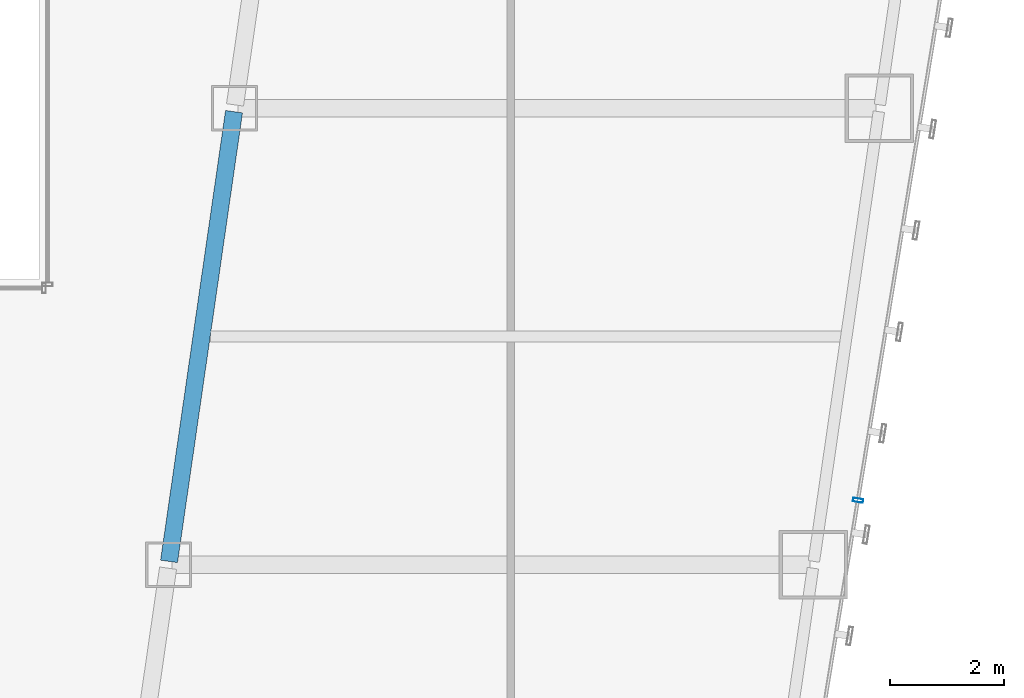
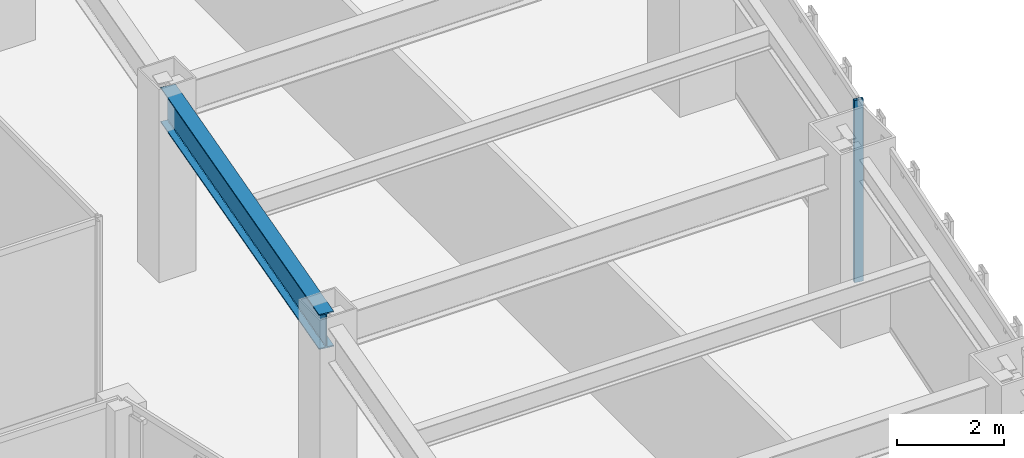
# One storey, part 17 of 47: 1 beam, 1 member, 1 element without a shape of its own.
"""IFC4 building model written with IfcOpenShell, lengths in metres."""

from ifc_helpers import new_model, si_unit, direction, frame, origin, origin_2d, place, context, subcontext, project, spatial, hollow_rectangle, i_section, extrude, material, material_profile, profile_set, type_object, element, aggregate, save


model = new_model("IFC4")

# Units and contexts
model_context = context("Model", 3, precision=1e-05, world=origin(), true_north=direction((0.0, 1.0)))
body_context = subcontext(model_context, "Body", "Model", "MODEL_VIEW")
ifc_project = project(units=[si_unit("LENGTHUNIT", "METRE"), si_unit("AREAUNIT", "SQUARE_METRE"), si_unit("VOLUMEUNIT", "CUBIC_METRE"), si_unit("PLANEANGLEUNIT", "RADIAN"), si_unit("MASSUNIT", "GRAM", prefix="KILO")], contexts=[model_context])

# Site, building, storey
site_placement = place(None, origin())
site = spatial("IfcSite", under=ifc_project, at=site_placement, CompositionType="ELEMENT")
building_placement = place(site_placement, origin())
building = spatial("IfcBuilding", under=site, at=building_placement, Name="Saevonmaru Cultural Tower", CompositionType="ELEMENT")
storey_placement = place(building_placement, frame((0.0, 0.0, 51.60009765625)))
storey = spatial("IfcBuildingStorey", under=building, at=storey_placement, Name="L10", CompositionType="ELEMENT", Elevation=51.60009765625)

# Beam
ifc_material_1 = material(Name="Steel SM420", Category="steel")
ifc_material_profile_1 = material_profile(ifc_material_1, i_section(OverallWidth=0.300048828125, OverallDepth=0.800048828125, WebThickness=0.013916015625, FlangeThickness=0.02587890625, FilletRadius=0.028076171875, at=origin_2d()), Name="H-800x300x14x26")
ifc_profile_set_1 = profile_set([ifc_material_profile_1], Name="Steel SM420")
beam_type = type_object("IfcBeamType", Name="BM-G-H800", PredefinedType="BEAM", material=ifc_profile_set_1)
beam_placement = place(storey_placement, frame((38.08056640625, 16.059326171875, 3.75), z_axis=(0.143022161059, 0.989719486241, 0.0), x_axis=(-0.989719486241, 0.143022161059, 0.0)))
element("IfcBeam", 1, at=beam_placement, inside=storey, type_object=beam_type, Name="L10 East Atrium Girder 3", PredefinedType="BEAM", context=body_context, shape_type="SweptSolid", body=[
    extrude(i_section(OverallWidth=0.300048828125, OverallDepth=0.800048828125, WebThickness=0.013916015625, FlangeThickness=0.02587890625, FilletRadius=0.028076171875, at=origin_2d()), origin(), (0.0, 0.0, 1.0), 7.963134765625),
])

# Curtain wall, member
ifc_material_2 = material(Name="Satin Bronze Anodised Aluminium", Category="aluminium")
curtain_wall_type = type_object("IfcCurtainWallType", Name="CW-TYP-A", PredefinedType="NOTDEFINED", material=ifc_material_2)
curtain_wall_placement = place(storey_placement, origin())
curtain_wall = element("IfcCurtainWall", 2, at=curtain_wall_placement, inside=storey, type_object=curtain_wall_type, Name="L10 Unitised Curtain Wall E8", PredefinedType="NOTDEFINED")
ifc_material_profile_2 = material_profile(ifc_material_2, hollow_rectangle(XDim=0.06494140625, YDim=0.179931640625, WallThickness=0.00390625, at=origin_2d()), Name="ALU-MULL-180x65x4")
ifc_profile_set_2 = profile_set([ifc_material_profile_2], Name="Satin Bronze Anodised Aluminium")
member_type = type_object("IfcMemberType", Name="ML-CW-180x65", PredefinedType="MULLION", material=ifc_profile_set_2)
member_placement = place(storey_placement, frame((50.15478515625, 17.129638671875, 0.0), z_axis=(0.0, 0.0, 1.0), x_axis=(0.161708868641, 0.986838508472, 0.0)))
member = element("IfcMember", 3, at=member_placement, type_object=member_type, Name="CW-TW-L10-E8 mullion 2", PredefinedType="MULLION", context=body_context, shape_type="SweptSolid", body=[
    extrude(hollow_rectangle(XDim=0.06494140625, YDim=0.179931640625, WallThickness=0.00390625, at=origin_2d()), origin(), (0.0, 0.0, 1.0), 4.14990234375),
])
aggregate(curtain_wall, [member])

save(model, "model.ifc")
